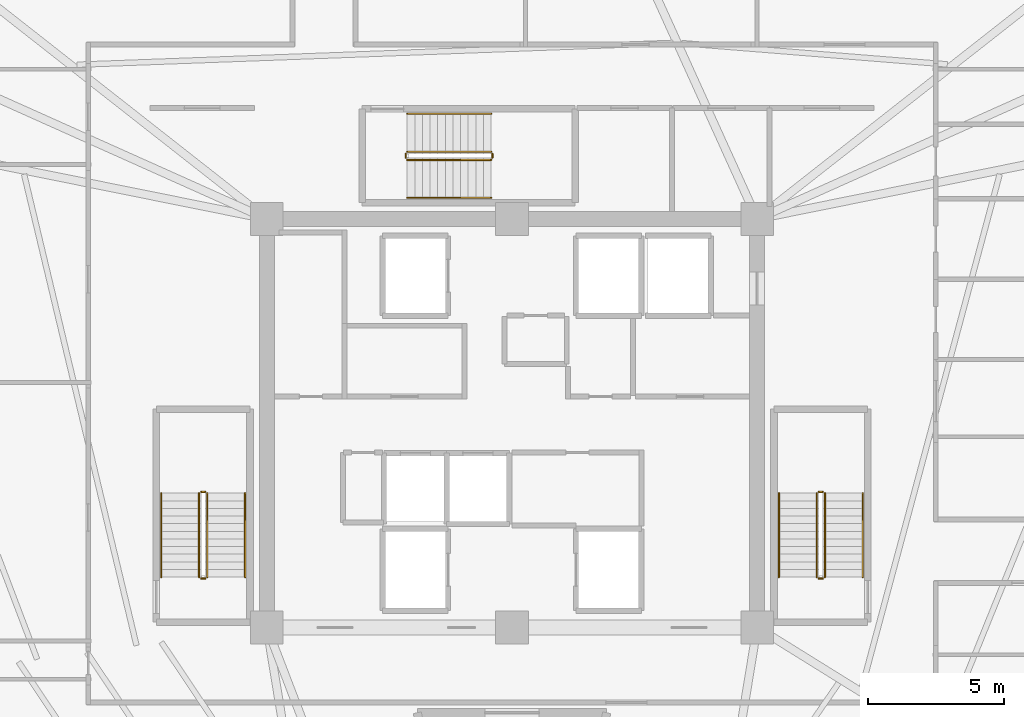
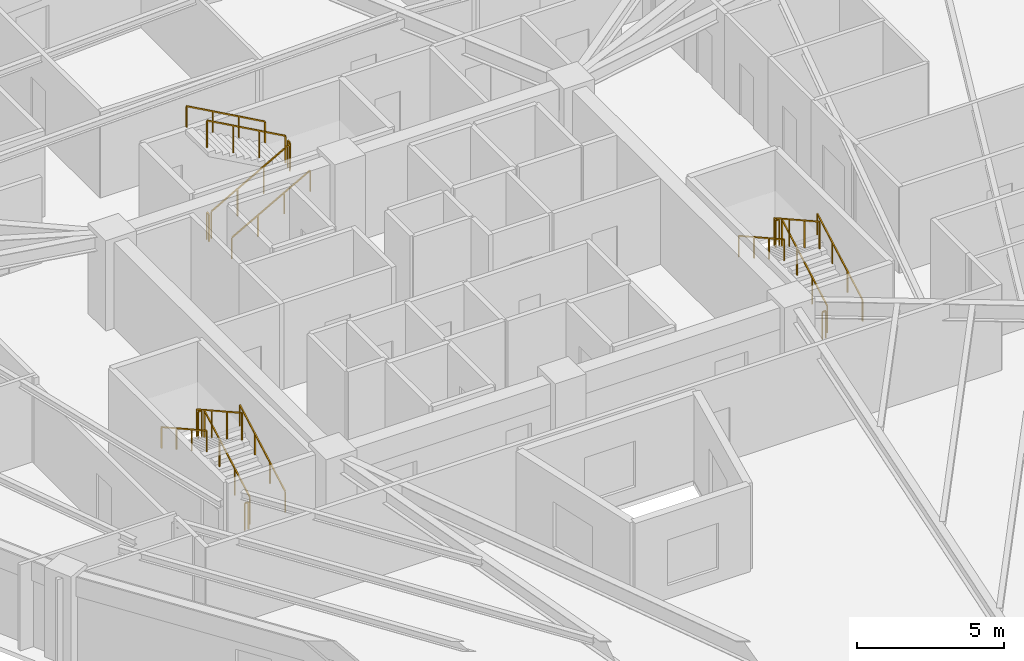
# One storey, part 8 of 8: 18 railings.
"""IFC4 building model written with IfcOpenShell, lengths in metres."""

from ifc_helpers import new_model, si_unit, direction, frame, origin, origin_2d, place, context, subcontext, project, spatial, rectangle, extrude, material, type_object, element, save


model = new_model("IFC4")

# Units and contexts
model_context = context("Model", 3, precision=1e-05, world=origin(), true_north=direction((0.0, 1.0)))
body_context = subcontext(model_context, "Body", "Model", "MODEL_VIEW")
ifc_project = project(units=[si_unit("LENGTHUNIT", "METRE"), si_unit("AREAUNIT", "SQUARE_METRE"), si_unit("VOLUMEUNIT", "CUBIC_METRE"), si_unit("PLANEANGLEUNIT", "RADIAN"), si_unit("MASSUNIT", "GRAM", prefix="KILO")], contexts=[model_context])

# Site, building, storey
site_placement = place(None, origin())
site = spatial("IfcSite", under=ifc_project, at=site_placement, CompositionType="ELEMENT")
building_placement = place(site_placement, origin())
building = spatial("IfcBuilding", under=site, at=building_placement, Name="Liaohun Quay Tower", CompositionType="ELEMENT")
storey_placement = place(building_placement, frame((0.0, 0.0, 297.75)))
storey = spatial("IfcBuildingStorey", under=building, at=storey_placement, Name="L77", CompositionType="ELEMENT", Elevation=297.75)

# Railings
ifc_material_1 = material(Name="Painted tubular steel", Category="steel")
railing_type_1 = type_object("IfcRailingType", Name="RLG-GUARD-STR", PredefinedType="GUARDRAIL", material=ifc_material_1)
railing_1_placement = place(storey_placement, frame((48.81005859375, 48.35009765625, 0.15625)))
element("IfcRailing", 1, at=railing_1_placement, inside=storey, type_object=railing_type_1, Name="L77 ST-1 stair guard 1", PredefinedType="GUARDRAIL", context=body_context, shape_type="SweptSolid", body=[
    extrude(rectangle(XDim=0.048095703125, YDim=0.048095703125, at=origin_2d()), frame((0.0, 0.0, 1.1259765625), z_axis=(0.0, 0.873225103656, 0.487317061414), x_axis=(-1.0, 0.0, 0.0)), (0.0, 0.0, 1.0), 3.52685546875),
    extrude(rectangle(XDim=0.0419921875, YDim=0.0419921875, at=origin_2d()), origin(), (0.0, 0.0, 1.0), 1.101806640625),
    extrude(rectangle(XDim=0.0419921875, YDim=0.0419921875, at=origin_2d()), frame((0.0, 1.026611328125, 0.572998046875)), (0.0, 0.0, 1.0), 1.101806640625),
    extrude(rectangle(XDim=0.0419921875, YDim=0.0419921875, at=origin_2d()), frame((0.0, 2.05322265625, 1.145751953125)), (0.0, 0.0, 1.0), 1.101806640625),
    extrude(rectangle(XDim=0.0419921875, YDim=0.0419921875, at=origin_2d()), frame((0.0, 3.079833984375, 1.71875)), (0.0, 0.0, 1.0), 1.101806640625),
])
railing_2_placement = place(storey_placement, frame((48.72998046875, 51.47998046875, 1.875)))
element("IfcRailing", 2, at=railing_2_placement, inside=storey, type_object=railing_type_1, Name="L77 ST-1 stair guard 2", PredefinedType="GUARDRAIL", context=body_context, shape_type="SweptSolid", body=[
    extrude(rectangle(XDim=0.048095703125, YDim=0.048095703125, at=origin_2d()), frame((0.0, 0.0, 1.1259765625), z_axis=(-1.0, 0.0, 0.0), x_axis=(0.0, -1.0, 0.0)), (0.0, 0.0, 1.0), 0.139892578125),
    extrude(rectangle(XDim=0.0419921875, YDim=0.0419921875, at=origin_2d()), origin(), (0.0, 0.0, 1.0), 1.101806640625),
    extrude(rectangle(XDim=0.0419921875, YDim=0.0419921875, at=origin_2d()), frame((-0.139892578125, 0.0, 0.0)), (0.0, 0.0, 1.0), 1.101806640625),
])
railing_3_placement = place(storey_placement, frame((48.510009765625, 51.429931640625, 2.03125)))
element("IfcRailing", 3, at=railing_3_placement, inside=storey, type_object=railing_type_1, Name="L77 ST-1 stair guard 3", PredefinedType="GUARDRAIL", context=body_context, shape_type="SweptSolid", body=[
    extrude(rectangle(XDim=0.048095703125, YDim=0.048095703125, at=origin_2d()), frame((0.0, 0.0, 1.1259765625), z_axis=(0.0, -0.873225103656, 0.487317061414), x_axis=(1.0, 0.0, 0.0)), (0.0, 0.0, 1.0), 3.52685546875),
    extrude(rectangle(XDim=0.0419921875, YDim=0.0419921875, at=origin_2d()), origin(), (0.0, 0.0, 1.0), 1.101806640625),
    extrude(rectangle(XDim=0.0419921875, YDim=0.0419921875, at=origin_2d()), frame((0.0, -1.026611328125, 0.572998046875)), (0.0, 0.0, 1.0), 1.101806640625),
    extrude(rectangle(XDim=0.0419921875, YDim=0.0419921875, at=origin_2d()), frame((0.0, -2.05322265625, 1.145751953125)), (0.0, 0.0, 1.0), 1.101806640625),
    extrude(rectangle(XDim=0.0419921875, YDim=0.0419921875, at=origin_2d()), frame((0.0, -3.079833984375, 1.71875)), (0.0, 0.0, 1.0), 1.101806640625),
])
railing_4_placement = place(storey_placement, frame((48.72998046875, 48.300048828125, 0.0)))
element("IfcRailing", 4, at=railing_4_placement, inside=storey, type_object=railing_type_1, Name="L77 ST-1 stair guard 4", PredefinedType="GUARDRAIL", context=body_context, shape_type="SweptSolid", body=[
    extrude(rectangle(XDim=0.048095703125, YDim=0.048095703125, at=origin_2d()), frame((0.0, 0.0, 1.1259765625), z_axis=(-1.0, 0.0, 0.0), x_axis=(0.0, -1.0, 0.0)), (0.0, 0.0, 1.0), 0.139892578125),
    extrude(rectangle(XDim=0.0419921875, YDim=0.0419921875, at=origin_2d()), origin(), (0.0, 0.0, 1.0), 1.101806640625),
    extrude(rectangle(XDim=0.0419921875, YDim=0.0419921875, at=origin_2d()), frame((-0.139892578125, 0.0, 0.0)), (0.0, 0.0, 1.0), 1.101806640625),
])
railing_5_placement = place(storey_placement, frame((71.489990234375, 48.35009765625, 0.15625)))
element("IfcRailing", 5, at=railing_5_placement, inside=storey, type_object=railing_type_1, Name="L77 ST-2 stair guard 1", PredefinedType="GUARDRAIL", context=body_context, shape_type="SweptSolid", body=[
    extrude(rectangle(XDim=0.048095703125, YDim=0.048095703125, at=origin_2d()), frame((0.0, 0.0, 1.1259765625), z_axis=(0.0, 0.873225103656, 0.487317061414), x_axis=(-1.0, 0.0, 0.0)), (0.0, 0.0, 1.0), 3.52685546875),
    extrude(rectangle(XDim=0.0419921875, YDim=0.0419921875, at=origin_2d()), origin(), (0.0, 0.0, 1.0), 1.101806640625),
    extrude(rectangle(XDim=0.0419921875, YDim=0.0419921875, at=origin_2d()), frame((0.0, 1.026611328125, 0.572998046875)), (0.0, 0.0, 1.0), 1.101806640625),
    extrude(rectangle(XDim=0.0419921875, YDim=0.0419921875, at=origin_2d()), frame((0.0, 2.05322265625, 1.145751953125)), (0.0, 0.0, 1.0), 1.101806640625),
    extrude(rectangle(XDim=0.0419921875, YDim=0.0419921875, at=origin_2d()), frame((0.0, 3.079833984375, 1.71875)), (0.0, 0.0, 1.0), 1.101806640625),
])
railing_6_placement = place(storey_placement, frame((71.409912109375, 51.47998046875, 1.875)))
element("IfcRailing", 6, at=railing_6_placement, inside=storey, type_object=railing_type_1, Name="L77 ST-2 stair guard 2", PredefinedType="GUARDRAIL", context=body_context, shape_type="SweptSolid", body=[
    extrude(rectangle(XDim=0.048095703125, YDim=0.048095703125, at=origin_2d()), frame((0.0, 0.0, 1.1259765625), z_axis=(-1.0, 0.0, 0.0), x_axis=(0.0, -1.0, 0.0)), (0.0, 0.0, 1.0), 0.139892578125),
    extrude(rectangle(XDim=0.0419921875, YDim=0.0419921875, at=origin_2d()), origin(), (0.0, 0.0, 1.0), 1.101806640625),
    extrude(rectangle(XDim=0.0419921875, YDim=0.0419921875, at=origin_2d()), frame((-0.139892578125, 0.0, 0.0)), (0.0, 0.0, 1.0), 1.101806640625),
])
railing_7_placement = place(storey_placement, frame((71.18994140625, 51.429931640625, 2.03125)))
element("IfcRailing", 7, at=railing_7_placement, inside=storey, type_object=railing_type_1, Name="L77 ST-2 stair guard 3", PredefinedType="GUARDRAIL", context=body_context, shape_type="SweptSolid", body=[
    extrude(rectangle(XDim=0.048095703125, YDim=0.048095703125, at=origin_2d()), frame((0.0, 0.0, 1.1259765625), z_axis=(0.0, -0.873225103656, 0.487317061414), x_axis=(1.0, 0.0, 0.0)), (0.0, 0.0, 1.0), 3.52685546875),
    extrude(rectangle(XDim=0.0419921875, YDim=0.0419921875, at=origin_2d()), origin(), (0.0, 0.0, 1.0), 1.101806640625),
    extrude(rectangle(XDim=0.0419921875, YDim=0.0419921875, at=origin_2d()), frame((0.0, -1.026611328125, 0.572998046875)), (0.0, 0.0, 1.0), 1.101806640625),
    extrude(rectangle(XDim=0.0419921875, YDim=0.0419921875, at=origin_2d()), frame((0.0, -2.05322265625, 1.145751953125)), (0.0, 0.0, 1.0), 1.101806640625),
    extrude(rectangle(XDim=0.0419921875, YDim=0.0419921875, at=origin_2d()), frame((0.0, -3.079833984375, 1.71875)), (0.0, 0.0, 1.0), 1.101806640625),
])
railing_8_placement = place(storey_placement, frame((71.409912109375, 48.300048828125, 0.0)))
element("IfcRailing", 8, at=railing_8_placement, inside=storey, type_object=railing_type_1, Name="L77 ST-2 stair guard 4", PredefinedType="GUARDRAIL", context=body_context, shape_type="SweptSolid", body=[
    extrude(rectangle(XDim=0.048095703125, YDim=0.048095703125, at=origin_2d()), frame((0.0, 0.0, 1.1259765625), z_axis=(-1.0, 0.0, 0.0), x_axis=(0.0, -1.0, 0.0)), (0.0, 0.0, 1.0), 0.139892578125),
    extrude(rectangle(XDim=0.0419921875, YDim=0.0419921875, at=origin_2d()), origin(), (0.0, 0.0, 1.0), 1.101806640625),
    extrude(rectangle(XDim=0.0419921875, YDim=0.0419921875, at=origin_2d()), frame((-0.139892578125, 0.0, 0.0)), (0.0, 0.0, 1.0), 1.101806640625),
])
railing_9_placement = place(storey_placement, frame((56.14990234375, 63.669921875, 0.15625)))
element("IfcRailing", 9, at=railing_9_placement, inside=storey, type_object=railing_type_1, Name="L77 ST-3 stair guard 1", PredefinedType="GUARDRAIL", context=body_context, shape_type="SweptSolid", body=[
    extrude(rectangle(XDim=0.048095703125, YDim=0.048095703125, at=origin_2d()), frame((0.0, 0.0, 1.1259765625), z_axis=(0.873241540666, 0.0, 0.487287606713), x_axis=(0.0, 1.0, 0.0)), (0.0, 0.0, 1.0), 3.527099609375),
    extrude(rectangle(XDim=0.0419921875, YDim=0.0419921875, at=origin_2d()), origin(), (0.0, 0.0, 1.0), 1.101806640625),
    extrude(rectangle(XDim=0.0419921875, YDim=0.0419921875, at=origin_2d()), frame((1.026611328125, 0.0, 0.572998046875)), (0.0, 0.0, 1.0), 1.101806640625),
    extrude(rectangle(XDim=0.0419921875, YDim=0.0419921875, at=origin_2d()), frame((2.053466796875, 0.0, 1.145751953125)), (0.0, 0.0, 1.0), 1.101806640625),
    extrude(rectangle(XDim=0.0419921875, YDim=0.0419921875, at=origin_2d()), frame((3.080078125, 0.0, 1.71875)), (0.0, 0.0, 1.0), 1.101806640625),
])
railing_10_placement = place(storey_placement, frame((59.280029296875, 63.75, 1.875)))
element("IfcRailing", 10, at=railing_10_placement, inside=storey, type_object=railing_type_1, Name="L77 ST-3 stair guard 2", PredefinedType="GUARDRAIL", context=body_context, shape_type="SweptSolid", body=[
    extrude(rectangle(XDim=0.048095703125, YDim=0.048095703125, at=origin_2d()), frame((0.0, 0.0, 1.1259765625), z_axis=(0.0, 1.0, 0.0), x_axis=(-1.0, 0.0, 0.0)), (0.0, 0.0, 1.0), 0.139892578125),
    extrude(rectangle(XDim=0.0419921875, YDim=0.0419921875, at=origin_2d()), origin(), (0.0, 0.0, 1.0), 1.101806640625),
    extrude(rectangle(XDim=0.0419921875, YDim=0.0419921875, at=origin_2d()), frame((0.0, 0.139892578125, 0.0)), (0.0, 0.0, 1.0), 1.101806640625),
])
railing_11_placement = place(storey_placement, frame((59.22998046875, 63.969970703125, 2.03125)))
element("IfcRailing", 11, at=railing_11_placement, inside=storey, type_object=railing_type_1, Name="L77 ST-3 stair guard 3", PredefinedType="GUARDRAIL", context=body_context, shape_type="SweptSolid", body=[
    extrude(rectangle(XDim=0.048095703125, YDim=0.048095703125, at=origin_2d()), frame((0.0, 0.0, 1.1259765625), z_axis=(-0.873241540666, 0.0, 0.487287606713), x_axis=(0.0, -1.0, 0.0)), (0.0, 0.0, 1.0), 3.527099609375),
    extrude(rectangle(XDim=0.0419921875, YDim=0.0419921875, at=origin_2d()), origin(), (0.0, 0.0, 1.0), 1.101806640625),
    extrude(rectangle(XDim=0.0419921875, YDim=0.0419921875, at=origin_2d()), frame((-1.026611328125, 0.0, 0.572998046875)), (0.0, 0.0, 1.0), 1.101806640625),
    extrude(rectangle(XDim=0.0419921875, YDim=0.0419921875, at=origin_2d()), frame((-2.053466796875, 0.0, 1.145751953125)), (0.0, 0.0, 1.0), 1.101806640625),
    extrude(rectangle(XDim=0.0419921875, YDim=0.0419921875, at=origin_2d()), frame((-3.080078125, 0.0, 1.71875)), (0.0, 0.0, 1.0), 1.101806640625),
])
railing_12_placement = place(storey_placement, frame((56.10009765625, 63.75, 0.0)))
element("IfcRailing", 12, at=railing_12_placement, inside=storey, type_object=railing_type_1, Name="L77 ST-3 stair guard 4", PredefinedType="GUARDRAIL", context=body_context, shape_type="SweptSolid", body=[
    extrude(rectangle(XDim=0.048095703125, YDim=0.048095703125, at=origin_2d()), frame((0.0, 0.0, 1.1259765625), z_axis=(0.0, 1.0, 0.0), x_axis=(-1.0, 0.0, 0.0)), (0.0, 0.0, 1.0), 0.139892578125),
    extrude(rectangle(XDim=0.0419921875, YDim=0.0419921875, at=origin_2d()), origin(), (0.0, 0.0, 1.0), 1.101806640625),
    extrude(rectangle(XDim=0.0419921875, YDim=0.0419921875, at=origin_2d()), frame((0.0, 0.139892578125, 0.0)), (0.0, 0.0, 1.0), 1.101806640625),
])
ifc_material_2 = material(Name="Brushed stainless steel", Category="steel")
railing_type_2 = type_object("IfcRailingType", Name="RLG-HND-STR", PredefinedType="HANDRAIL", material=ifc_material_2)
railing_13_placement = place(storey_placement, frame((50.199951171875, 48.35009765625, 0.15625)))
element("IfcRailing", 13, at=railing_13_placement, inside=storey, type_object=railing_type_2, Name="L77 ST-1 stair handrail 1", PredefinedType="HANDRAIL", context=body_context, shape_type="SweptSolid", body=[
    extrude(rectangle(XDim=0.048095703125, YDim=0.048095703125, at=origin_2d()), frame((0.0, 0.0, 0.8759765625), z_axis=(0.0, 0.873225103656, 0.487317061414), x_axis=(-1.0, 0.0, 0.0)), (0.0, 0.0, 1.0), 3.52685546875),
    extrude(rectangle(XDim=0.0419921875, YDim=0.0419921875, at=origin_2d()), origin(), (0.0, 0.0, 1.0), 0.851806640625),
    extrude(rectangle(XDim=0.0419921875, YDim=0.0419921875, at=origin_2d()), frame((0.0, 1.026611328125, 0.572998046875)), (0.0, 0.0, 1.0), 0.851806640625),
    extrude(rectangle(XDim=0.0419921875, YDim=0.0419921875, at=origin_2d()), frame((0.0, 2.05322265625, 1.145751953125)), (0.0, 0.0, 1.0), 0.851806640625),
    extrude(rectangle(XDim=0.0419921875, YDim=0.0419921875, at=origin_2d()), frame((0.0, 3.079833984375, 1.71875)), (0.0, 0.0, 1.0), 0.851806640625),
])
railing_14_placement = place(storey_placement, frame((47.1201171875, 51.429931640625, 2.03125)))
element("IfcRailing", 14, at=railing_14_placement, inside=storey, type_object=railing_type_2, Name="L77 ST-1 stair handrail 2", PredefinedType="HANDRAIL", context=body_context, shape_type="SweptSolid", body=[
    extrude(rectangle(XDim=0.048095703125, YDim=0.048095703125, at=origin_2d()), frame((0.0, 0.0, 0.8759765625), z_axis=(0.0, -0.873225103656, 0.487317061414), x_axis=(1.0, 0.0, 0.0)), (0.0, 0.0, 1.0), 3.52685546875),
    extrude(rectangle(XDim=0.0419921875, YDim=0.0419921875, at=origin_2d()), origin(), (0.0, 0.0, 1.0), 0.851806640625),
    extrude(rectangle(XDim=0.0419921875, YDim=0.0419921875, at=origin_2d()), frame((0.0, -1.026611328125, 0.572998046875)), (0.0, 0.0, 1.0), 0.851806640625),
    extrude(rectangle(XDim=0.0419921875, YDim=0.0419921875, at=origin_2d()), frame((0.0, -2.05322265625, 1.145751953125)), (0.0, 0.0, 1.0), 0.851806640625),
    extrude(rectangle(XDim=0.0419921875, YDim=0.0419921875, at=origin_2d()), frame((0.0, -3.079833984375, 1.71875)), (0.0, 0.0, 1.0), 0.851806640625),
])
railing_15_placement = place(storey_placement, frame((72.8798828125, 48.35009765625, 0.15625)))
element("IfcRailing", 15, at=railing_15_placement, inside=storey, type_object=railing_type_2, Name="L77 ST-2 stair handrail 1", PredefinedType="HANDRAIL", context=body_context, shape_type="SweptSolid", body=[
    extrude(rectangle(XDim=0.048095703125, YDim=0.048095703125, at=origin_2d()), frame((0.0, 0.0, 0.8759765625), z_axis=(0.0, 0.873225103656, 0.487317061414), x_axis=(-1.0, 0.0, 0.0)), (0.0, 0.0, 1.0), 3.52685546875),
    extrude(rectangle(XDim=0.0419921875, YDim=0.0419921875, at=origin_2d()), origin(), (0.0, 0.0, 1.0), 0.851806640625),
    extrude(rectangle(XDim=0.0419921875, YDim=0.0419921875, at=origin_2d()), frame((0.0, 1.026611328125, 0.572998046875)), (0.0, 0.0, 1.0), 0.851806640625),
    extrude(rectangle(XDim=0.0419921875, YDim=0.0419921875, at=origin_2d()), frame((0.0, 2.05322265625, 1.145751953125)), (0.0, 0.0, 1.0), 0.851806640625),
    extrude(rectangle(XDim=0.0419921875, YDim=0.0419921875, at=origin_2d()), frame((0.0, 3.079833984375, 1.71875)), (0.0, 0.0, 1.0), 0.851806640625),
])
railing_16_placement = place(storey_placement, frame((69.800048828125, 51.429931640625, 2.03125)))
element("IfcRailing", 16, at=railing_16_placement, inside=storey, type_object=railing_type_2, Name="L77 ST-2 stair handrail 2", PredefinedType="HANDRAIL", context=body_context, shape_type="SweptSolid", body=[
    extrude(rectangle(XDim=0.048095703125, YDim=0.048095703125, at=origin_2d()), frame((0.0, 0.0, 0.8759765625), z_axis=(0.0, -0.873225103656, 0.487317061414), x_axis=(1.0, 0.0, 0.0)), (0.0, 0.0, 1.0), 3.52685546875),
    extrude(rectangle(XDim=0.0419921875, YDim=0.0419921875, at=origin_2d()), origin(), (0.0, 0.0, 1.0), 0.851806640625),
    extrude(rectangle(XDim=0.0419921875, YDim=0.0419921875, at=origin_2d()), frame((0.0, -1.026611328125, 0.572998046875)), (0.0, 0.0, 1.0), 0.851806640625),
    extrude(rectangle(XDim=0.0419921875, YDim=0.0419921875, at=origin_2d()), frame((0.0, -2.05322265625, 1.145751953125)), (0.0, 0.0, 1.0), 0.851806640625),
    extrude(rectangle(XDim=0.0419921875, YDim=0.0419921875, at=origin_2d()), frame((0.0, -3.079833984375, 1.71875)), (0.0, 0.0, 1.0), 0.851806640625),
])
railing_17_placement = place(storey_placement, frame((56.14990234375, 62.280029296875, 0.15625)))
element("IfcRailing", 17, at=railing_17_placement, inside=storey, type_object=railing_type_2, Name="L77 ST-3 stair handrail 1", PredefinedType="HANDRAIL", context=body_context, shape_type="SweptSolid", body=[
    extrude(rectangle(XDim=0.048095703125, YDim=0.048095703125, at=origin_2d()), frame((0.0, 0.0, 0.8759765625), z_axis=(0.873241540666, 0.0, 0.487287606713), x_axis=(0.0, 1.0, 0.0)), (0.0, 0.0, 1.0), 3.527099609375),
    extrude(rectangle(XDim=0.0419921875, YDim=0.0419921875, at=origin_2d()), origin(), (0.0, 0.0, 1.0), 0.851806640625),
    extrude(rectangle(XDim=0.0419921875, YDim=0.0419921875, at=origin_2d()), frame((1.026611328125, 0.0, 0.572998046875)), (0.0, 0.0, 1.0), 0.851806640625),
    extrude(rectangle(XDim=0.0419921875, YDim=0.0419921875, at=origin_2d()), frame((2.053466796875, 0.0, 1.145751953125)), (0.0, 0.0, 1.0), 0.851806640625),
    extrude(rectangle(XDim=0.0419921875, YDim=0.0419921875, at=origin_2d()), frame((3.080078125, 0.0, 1.71875)), (0.0, 0.0, 1.0), 0.851806640625),
])
railing_18_placement = place(storey_placement, frame((59.22998046875, 65.360107421875, 2.03125)))
element("IfcRailing", 18, at=railing_18_placement, inside=storey, type_object=railing_type_2, Name="L77 ST-3 stair handrail 2", PredefinedType="HANDRAIL", context=body_context, shape_type="SweptSolid", body=[
    extrude(rectangle(XDim=0.048095703125, YDim=0.048095703125, at=origin_2d()), frame((0.0, 0.0, 0.8759765625), z_axis=(-0.873241540666, 0.0, 0.487287606713), x_axis=(0.0, -1.0, 0.0)), (0.0, 0.0, 1.0), 3.527099609375),
    extrude(rectangle(XDim=0.0419921875, YDim=0.0419921875, at=origin_2d()), origin(), (0.0, 0.0, 1.0), 0.851806640625),
    extrude(rectangle(XDim=0.0419921875, YDim=0.0419921875, at=origin_2d()), frame((-1.026611328125, 0.0, 0.572998046875)), (0.0, 0.0, 1.0), 0.851806640625),
    extrude(rectangle(XDim=0.0419921875, YDim=0.0419921875, at=origin_2d()), frame((-2.053466796875, 0.0, 1.145751953125)), (0.0, 0.0, 1.0), 0.851806640625),
    extrude(rectangle(XDim=0.0419921875, YDim=0.0419921875, at=origin_2d()), frame((-3.080078125, 0.0, 1.71875)), (0.0, 0.0, 1.0), 0.851806640625),
])

save(model, "model.ifc")
